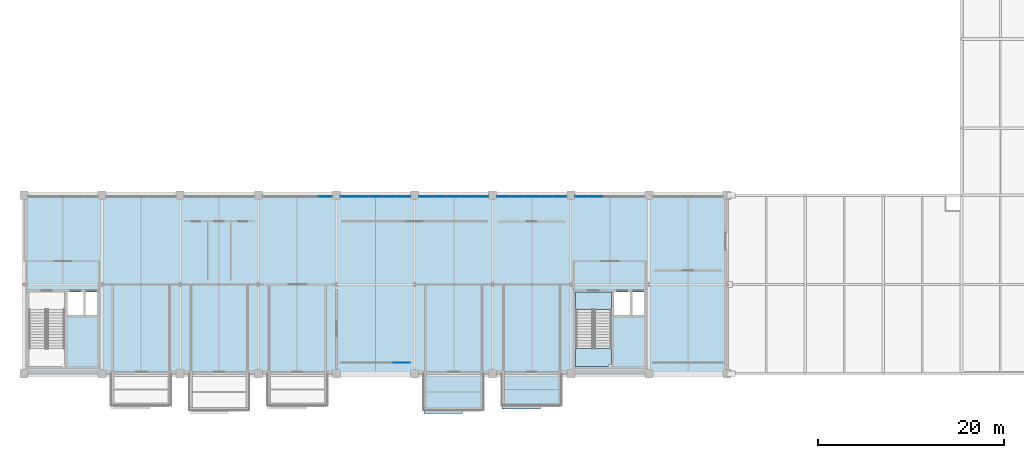
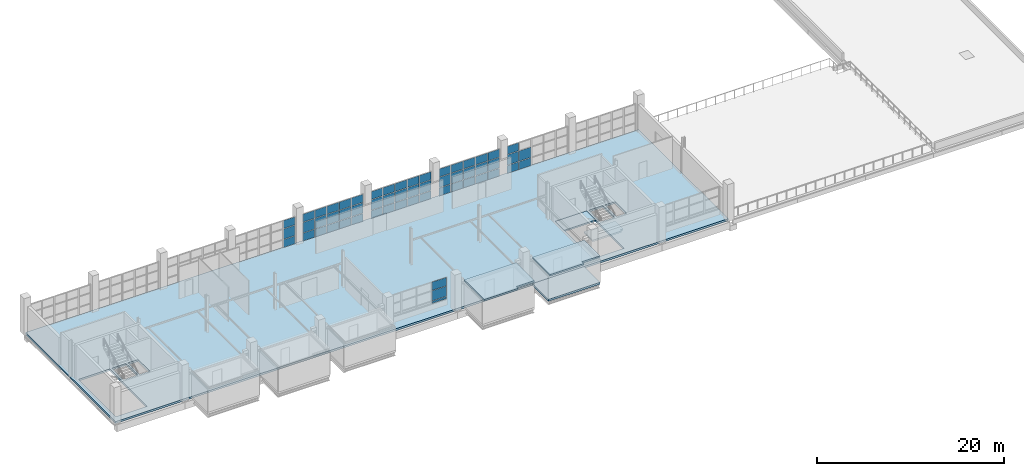
# One storey, part 22 of 29: 56 plates, 6 slabs, 7 elements without a shape of their own.
"""IFC4 building model written with IfcOpenShell, lengths in metres."""

from ifc_helpers import new_model, si_unit, direction, frame, origin, origin_2d, place, context, subcontext, project, spatial, polyline, rectangle, outline, extrude, material, layer, layer_set, type_object, element, aggregate, save


model = new_model("IFC4")

# Units and contexts
model_context = context("Model", 3, precision=1e-05, world=origin(), true_north=direction((0.0, 1.0)))
body_context = subcontext(model_context, "Body", "Model", "MODEL_VIEW")
ifc_project = project(units=[si_unit("LENGTHUNIT", "METRE"), si_unit("AREAUNIT", "SQUARE_METRE"), si_unit("VOLUMEUNIT", "CUBIC_METRE"), si_unit("PLANEANGLEUNIT", "RADIAN"), si_unit("MASSUNIT", "GRAM", prefix="KILO")], contexts=[model_context])

# Site, building, storey
site_placement = place(None, origin())
site = spatial("IfcSite", under=ifc_project, at=site_placement, CompositionType="ELEMENT")
building_placement = place(site_placement, origin())
building = spatial("IfcBuilding", under=site, at=building_placement, Name="Veltarok Museum of Natural Sciences", CompositionType="ELEMENT")
storey_placement = place(building_placement, frame((0.0, 0.0, 26.39990234375)))
storey = spatial("IfcBuildingStorey", under=building, at=storey_placement, Name="L05", CompositionType="ELEMENT", Elevation=26.39990234375)

# Slabs
ifc_material_1 = material(Name="Concrete C35/45", Category="concrete")
ifc_layer_1 = layer(ifc_material_1, 0.199951171875)
ifc_layer_set_1 = layer_set([ifc_layer_1], Name="Concrete C35/45")
slab_type_1 = type_object("IfcSlabType", Name="Cantilevered Cabinet Box Roof Slab 200", PredefinedType="ROOF", material=ifc_layer_set_1)
slab_1_placement = place(storey_placement, frame((0.0, 0.0, 3.25)))
element("IfcSlab", 1, at=slab_1_placement, inside=storey, type_object=slab_type_1, Name="Cabinet Box Roof Slab DB-28", PredefinedType="ROOF", context=body_context, shape_type="SweptSolid", body=[
    extrude(outline(polyline([(74.60009765625, -4.280029296875), (78.760009765625, -4.280029296875), (78.760009765625, -3.89990234375), (81.0, -3.89990234375), (81.0, 0.0), (74.60009765625, 0.0), (74.60009765625, -4.280029296875)])), origin(), (0.0, 0.0, 1.0), 0.2001953125),
])
slab_2_placement = place(storey_placement, frame((0.0, 0.0, 3.25)))
element("IfcSlab", 2, at=slab_2_placement, inside=storey, type_object=slab_type_1, Name="Cabinet Box Roof Slab DB-29", PredefinedType="ROOF", context=body_context, shape_type="SweptSolid", body=[
    extrude(outline(polyline([(83.0, -3.780029296875), (87.159912109375, -3.780029296875), (87.159912109375, -3.39990234375), (89.39990234375, -3.39990234375), (89.39990234375, 0.0), (83.0, 0.0), (83.0, -3.780029296875)])), origin(), (0.0, 0.0, 1.0), 0.2001953125),
])
ifc_layer_2 = layer(ifc_material_1, 0.199951171875)
ifc_layer_set_2 = layer_set([ifc_layer_2], Name="Concrete C35/45")
slab_type_2 = type_object("IfcSlabType", Name="Protected Stair Intermediate Landing Slab 200", PredefinedType="LANDING", material=ifc_layer_set_2)
slab_3_placement = place(storey_placement, frame((0.0, 0.0, -0.199951171875)))
element("IfcSlab", 3, at=slab_3_placement, inside=storey, type_object=slab_type_2, Name="Stairwell Floor Landing ST-02 L05", PredefinedType="LANDING", context=body_context, shape_type="SweptSolid", body=[
    extrude(outline(polyline([(90.909912109375, 6.89990234375), (94.7900390625, 6.89990234375), (94.7900390625, 8.820068359375), (90.909912109375, 8.820068359375), (90.909912109375, 6.89990234375)])), origin(), (0.0, 0.0, 1.0), 0.199951171875),
])

# Stair, slab
ifc_material_2 = material(Name="Precast concrete C40/50", Category="concrete")
stair_type = type_object("IfcStairType", Name="Protected Half-Turn Escape Stair H4800", PredefinedType="HALF_TURN_STAIR", material=ifc_material_2)
stair_placement = place(storey_placement, origin())
stair = element("IfcStair", 4, at=stair_placement, inside=storey, type_object=stair_type, Name="Protected Escape Stair ST-02-L05", PredefinedType="HALF_TURN_STAIR")
slab_4_placement = place(storey_placement, frame((0.0, 0.0, 2.2001953125)))
slab_4 = element("IfcSlab", 5, at=slab_4_placement, type_object=slab_type_2, Name="ST-02-L05 landing 1", PredefinedType="LANDING", context=body_context, shape_type="SweptSolid", body=[
    extrude(outline(polyline([(90.909912109375, 0.780029296875), (94.469970703125, 0.780029296875), (94.469970703125, 1.02001953125), (94.7900390625, 1.02001953125), (94.7900390625, 2.699951171875), (90.909912109375, 2.699951171875), (90.909912109375, 0.780029296875)])), origin(), (0.0, 0.0, 1.0), 0.199951171875),
])
aggregate(stair, [slab_4])

# Slabs
ifc_layer_3 = layer(ifc_material_1, 0.25)
ifc_layer_set_3 = layer_set([ifc_layer_3], Name="Concrete C35/45")
slab_type_3 = type_object("IfcSlabType", Name="Suspended Museum Floor Slab 250", PredefinedType="FLOOR", material=ifc_layer_set_3)
slab_5_placement = place(storey_placement, frame((0.0, 0.0, -0.25)))
element("IfcSlab", 6, at=slab_5_placement, inside=storey, type_object=slab_type_3, Name="Floor Slab L05 V1", PredefinedType="FLOOR", context=body_context, shape_type="SweptSolid", body=[
    extrude(outline(polyline([(31.60009765625, 0.0), (31.60009765625, 19.199951171875), (107.175048828125, 19.199951171875), (107.175048828125, 0.0), (31.60009765625, 0.0)]), holes=[polyline([(32.1298828125, 0.800048828125), (35.969970703125, 0.800048828125), (35.969970703125, 8.800048828125), (32.1298828125, 8.800048828125), (32.1298828125, 0.800048828125)]), polyline([(90.929931640625, 8.800048828125), (90.929931640625, 0.800048828125), (94.77001953125, 0.800048828125), (94.77001953125, 8.800048828125), (90.929931640625, 8.800048828125)]), polyline([(36.27001953125, 8.800048828125), (36.27001953125, 6.300048828125), (37.989990234375, 6.300048828125), (37.989990234375, 8.800048828125), (36.27001953125, 8.800048828125)]), polyline([(38.239990234375, 6.300048828125), (39.469970703125, 6.300048828125), (39.469970703125, 8.800048828125), (38.239990234375, 8.800048828125), (38.239990234375, 6.300048828125)]), polyline([(95.070068359375, 8.800048828125), (95.070068359375, 6.300048828125), (96.7900390625, 6.300048828125), (96.7900390625, 8.800048828125), (95.070068359375, 8.800048828125)]), polyline([(97.0400390625, 8.800048828125), (97.0400390625, 6.300048828125), (98.27001953125, 6.300048828125), (98.27001953125, 8.800048828125), (97.0400390625, 8.800048828125)])]), origin(), (0.0, 0.0, 1.0), 0.25),
])
slab_6_placement = place(storey_placement, frame((0.0, 0.0, -0.25)))
element("IfcSlab", 7, at=slab_6_placement, inside=storey, type_object=slab_type_3, Name="Cabinet Box Floor Slab DB-29", PredefinedType="FLOOR", context=body_context, shape_type="SweptSolid", body=[
    extrude(outline(polyline([(83.0, -3.39990234375), (89.39990234375, -3.39990234375), (89.39990234375, 0.0), (83.0, 0.0), (83.0, -3.39990234375)])), origin(), (0.0, 0.0, 1.0), 0.25),
])

# Curtain wall, plates
ifc_material_3 = material(Name="Low-iron triple insulated glass", Category="glass")
curtain_wall_type_1 = type_object("IfcCurtainWallType", Name="Curtain Wall System CW-CAB-L05-A-755x288 (V1 Recessed L05 755x288cm)", PredefinedType="NOTDEFINED", material=ifc_material_3)
curtain_wall_1_placement = place(storey_placement, origin())
curtain_wall_1 = element("IfcCurtainWall", 8, at=curtain_wall_1_placement, inside=storey, type_object=curtain_wall_type_1, Name="Curtain Wall CW-CAB-L05-A-755x288 CW-0009", PredefinedType="NOTDEFINED")
ifc_layer_4 = layer(ifc_material_3, 0.028076171875)
ifc_layer_set_4 = layer_set([ifc_layer_4], Name="Low-iron triple insulated glass")
plate_type = type_object("IfcPlateType", Name="Triple Low-Iron Glazed Vision Panel 28", PredefinedType="CURTAIN_PANEL", material=ifc_layer_set_4)
plate_1_placement = place(storey_placement, frame((72.21630859375, 1.199951171875, 0.800048828125), z_axis=(0.0, 0.0, 1.0), x_axis=(1.0, 0.0, 0.0)))
plate_1 = element("IfcPlate", 9, at=plate_1_placement, type_object=plate_type, Name="CW-CAB-L05-A-755x288 panel 4.1", PredefinedType="CURTAIN_PANEL", context=body_context, shape_type="SweptSolid", body=[
    extrude(rectangle(XDim=1.797607421875, YDim=0.028076171875, at=origin_2d()), origin(), (0.0, 0.0, 1.0), 0.27001953125),
])
plate_2_placement = place(storey_placement, frame((72.21630859375, 1.199951171875, 1.130126953125), z_axis=(0.0, 0.0, 1.0), x_axis=(1.0, 0.0, 0.0)))
plate_2 = element("IfcPlate", 10, at=plate_2_placement, type_object=plate_type, Name="CW-CAB-L05-A-755x288 panel 4.2", PredefinedType="CURTAIN_PANEL", context=body_context, shape_type="SweptSolid", body=[
    extrude(rectangle(XDim=1.797607421875, YDim=0.028076171875, at=origin_2d()), origin(), (0.0, 0.0, 1.0), 1.2900390625),
])
plate_3_placement = place(storey_placement, frame((72.21630859375, 1.199951171875, 2.480224609375), z_axis=(0.0, 0.0, 1.0), x_axis=(1.0, 0.0, 0.0)))
plate_3 = element("IfcPlate", 11, at=plate_3_placement, type_object=plate_type, Name="CW-CAB-L05-A-755x288 panel 4.3", PredefinedType="CURTAIN_PANEL", context=body_context, shape_type="SweptSolid", body=[
    extrude(rectangle(XDim=1.797607421875, YDim=0.028076171875, at=origin_2d()), origin(), (0.0, 0.0, 1.0), 1.0849609375),
])
aggregate(curtain_wall_1, [plate_1, plate_2, plate_3])

curtain_wall_type_2 = type_object("IfcCurtainWallType", Name="Curtain Wall System CW-V1N-L05-755x362 (V1 North Overlook L05 755x362cm)", PredefinedType="NOTDEFINED", material=ifc_material_3)
curtain_wall_2_placement = place(storey_placement, origin())
curtain_wall_2 = element("IfcCurtainWall", 12, at=curtain_wall_2_placement, inside=storey, type_object=curtain_wall_type_2, Name="Curtain Wall CW-V1N-L05-755x362 CW-0014", PredefinedType="NOTDEFINED")
plate_4_placement = place(storey_placement, frame((64.0048828125, 19.050048828125, 0.06005859375), z_axis=(0.0, 0.0, 1.0), x_axis=(-1.0, 0.0, 0.0)))
plate_4 = element("IfcPlate", 13, at=plate_4_placement, type_object=plate_type, Name="CW-V1N-L05-755x362 panel 1.1", PredefinedType="CURTAIN_PANEL", context=body_context, shape_type="SweptSolid", body=[
    extrude(rectangle(XDim=1.419921875, YDim=0.028076171875, at=origin_2d()), origin(), (0.0, 0.0, 1.0), 1.010009765625),
])
plate_5_placement = place(storey_placement, frame((64.0048828125, 19.050048828125, 1.1298828125), z_axis=(0.0, 0.0, 1.0), x_axis=(-1.0, 0.0, 0.0)))
plate_5 = element("IfcPlate", 14, at=plate_5_placement, type_object=plate_type, Name="CW-V1N-L05-755x362 panel 1.2", PredefinedType="CURTAIN_PANEL", context=body_context, shape_type="SweptSolid", body=[
    extrude(rectangle(XDim=1.419921875, YDim=0.028076171875, at=origin_2d()), origin(), (0.0, 0.0, 1.0), 1.340087890625),
])
plate_6_placement = place(storey_placement, frame((64.0048828125, 19.050048828125, 2.5302734375), z_axis=(0.0, 0.0, 1.0), x_axis=(-1.0, 0.0, 0.0)))
plate_6 = element("IfcPlate", 15, at=plate_6_placement, type_object=plate_type, Name="CW-V1N-L05-755x362 panel 1.3", PredefinedType="CURTAIN_PANEL", context=body_context, shape_type="SweptSolid", body=[
    extrude(rectangle(XDim=1.419921875, YDim=0.028076171875, at=origin_2d()), origin(), (0.0, 0.0, 1.0), 1.030029296875),
])
aggregate(curtain_wall_2, [plate_4, plate_5, plate_6])

curtain_wall_3_placement = place(storey_placement, origin())
curtain_wall_3 = element("IfcCurtainWall", 16, at=curtain_wall_3_placement, inside=storey, type_object=curtain_wall_type_2, Name="Curtain Wall CW-V1N-L05-755x362 CW-0015", PredefinedType="NOTDEFINED")
plate_7_placement = place(storey_placement, frame((72.405029296875, 19.050048828125, 0.06005859375), z_axis=(0.0, 0.0, 1.0), x_axis=(-1.0, 0.0, 0.0)))
plate_7 = element("IfcPlate", 17, at=plate_7_placement, type_object=plate_type, Name="CW-V1N-L05-755x362 panel 1.1", PredefinedType="CURTAIN_PANEL", context=body_context, shape_type="SweptSolid", body=[
    extrude(rectangle(XDim=1.419921875, YDim=0.028076171875, at=origin_2d()), origin(), (0.0, 0.0, 1.0), 1.010009765625),
])
plate_8_placement = place(storey_placement, frame((72.405029296875, 19.050048828125, 1.1298828125), z_axis=(0.0, 0.0, 1.0), x_axis=(-1.0, 0.0, 0.0)))
plate_8 = element("IfcPlate", 18, at=plate_8_placement, type_object=plate_type, Name="CW-V1N-L05-755x362 panel 1.2", PredefinedType="CURTAIN_PANEL", context=body_context, shape_type="SweptSolid", body=[
    extrude(rectangle(XDim=1.419921875, YDim=0.028076171875, at=origin_2d()), origin(), (0.0, 0.0, 1.0), 1.340087890625),
])
plate_9_placement = place(storey_placement, frame((72.405029296875, 19.050048828125, 2.5302734375), z_axis=(0.0, 0.0, 1.0), x_axis=(-1.0, 0.0, 0.0)))
plate_9 = element("IfcPlate", 19, at=plate_9_placement, type_object=plate_type, Name="CW-V1N-L05-755x362 panel 1.3", PredefinedType="CURTAIN_PANEL", context=body_context, shape_type="SweptSolid", body=[
    extrude(rectangle(XDim=1.419921875, YDim=0.028076171875, at=origin_2d()), origin(), (0.0, 0.0, 1.0), 1.030029296875),
])
plate_10_placement = place(storey_placement, frame((70.909912109375, 19.050048828125, 0.06005859375), z_axis=(0.0, 0.0, 1.0), x_axis=(-1.0, 0.0, 0.0)))
plate_10 = element("IfcPlate", 20, at=plate_10_placement, type_object=plate_type, Name="CW-V1N-L05-755x362 panel 2.1", PredefinedType="CURTAIN_PANEL", context=body_context, shape_type="SweptSolid", body=[
    extrude(rectangle(XDim=1.449951171875, YDim=0.028076171875, at=origin_2d()), origin(), (0.0, 0.0, 1.0), 1.010009765625),
])
plate_11_placement = place(storey_placement, frame((70.909912109375, 19.050048828125, 1.1298828125), z_axis=(0.0, 0.0, 1.0), x_axis=(-1.0, 0.0, 0.0)))
plate_11 = element("IfcPlate", 21, at=plate_11_placement, type_object=plate_type, Name="CW-V1N-L05-755x362 panel 2.2", PredefinedType="CURTAIN_PANEL", context=body_context, shape_type="SweptSolid", body=[
    extrude(rectangle(XDim=1.449951171875, YDim=0.028076171875, at=origin_2d()), origin(), (0.0, 0.0, 1.0), 1.340087890625),
])
plate_12_placement = place(storey_placement, frame((70.909912109375, 19.050048828125, 2.5302734375), z_axis=(0.0, 0.0, 1.0), x_axis=(-1.0, 0.0, 0.0)))
plate_12 = element("IfcPlate", 22, at=plate_12_placement, type_object=plate_type, Name="CW-V1N-L05-755x362 panel 2.3", PredefinedType="CURTAIN_PANEL", context=body_context, shape_type="SweptSolid", body=[
    extrude(rectangle(XDim=1.449951171875, YDim=0.028076171875, at=origin_2d()), origin(), (0.0, 0.0, 1.0), 1.030029296875),
])
plate_13_placement = place(storey_placement, frame((69.39990234375, 19.050048828125, 0.06005859375), z_axis=(0.0, 0.0, 1.0), x_axis=(-1.0, 0.0, 0.0)))
plate_13 = element("IfcPlate", 23, at=plate_13_placement, type_object=plate_type, Name="CW-V1N-L05-755x362 panel 3.1", PredefinedType="CURTAIN_PANEL", context=body_context, shape_type="SweptSolid", body=[
    extrude(rectangle(XDim=1.449951171875, YDim=0.028076171875, at=origin_2d()), origin(), (0.0, 0.0, 1.0), 1.010009765625),
])
plate_14_placement = place(storey_placement, frame((69.39990234375, 19.050048828125, 1.1298828125), z_axis=(0.0, 0.0, 1.0), x_axis=(-1.0, 0.0, 0.0)))
plate_14 = element("IfcPlate", 24, at=plate_14_placement, type_object=plate_type, Name="CW-V1N-L05-755x362 panel 3.2", PredefinedType="CURTAIN_PANEL", context=body_context, shape_type="SweptSolid", body=[
    extrude(rectangle(XDim=1.449951171875, YDim=0.028076171875, at=origin_2d()), origin(), (0.0, 0.0, 1.0), 1.340087890625),
])
plate_15_placement = place(storey_placement, frame((69.39990234375, 19.050048828125, 2.5302734375), z_axis=(0.0, 0.0, 1.0), x_axis=(-1.0, 0.0, 0.0)))
plate_15 = element("IfcPlate", 25, at=plate_15_placement, type_object=plate_type, Name="CW-V1N-L05-755x362 panel 3.3", PredefinedType="CURTAIN_PANEL", context=body_context, shape_type="SweptSolid", body=[
    extrude(rectangle(XDim=1.449951171875, YDim=0.028076171875, at=origin_2d()), origin(), (0.0, 0.0, 1.0), 1.030029296875),
])
plate_16_placement = place(storey_placement, frame((67.889892578125, 19.050048828125, 0.06005859375), z_axis=(0.0, 0.0, 1.0), x_axis=(-1.0, 0.0, 0.0)))
plate_16 = element("IfcPlate", 26, at=plate_16_placement, type_object=plate_type, Name="CW-V1N-L05-755x362 panel 4.1", PredefinedType="CURTAIN_PANEL", context=body_context, shape_type="SweptSolid", body=[
    extrude(rectangle(XDim=1.449951171875, YDim=0.028076171875, at=origin_2d()), origin(), (0.0, 0.0, 1.0), 1.010009765625),
])
plate_17_placement = place(storey_placement, frame((67.889892578125, 19.050048828125, 1.1298828125), z_axis=(0.0, 0.0, 1.0), x_axis=(-1.0, 0.0, 0.0)))
plate_17 = element("IfcPlate", 27, at=plate_17_placement, type_object=plate_type, Name="CW-V1N-L05-755x362 panel 4.2", PredefinedType="CURTAIN_PANEL", context=body_context, shape_type="SweptSolid", body=[
    extrude(rectangle(XDim=1.449951171875, YDim=0.028076171875, at=origin_2d()), origin(), (0.0, 0.0, 1.0), 1.340087890625),
])
plate_18_placement = place(storey_placement, frame((67.889892578125, 19.050048828125, 2.5302734375), z_axis=(0.0, 0.0, 1.0), x_axis=(-1.0, 0.0, 0.0)))
plate_18 = element("IfcPlate", 28, at=plate_18_placement, type_object=plate_type, Name="CW-V1N-L05-755x362 panel 4.3", PredefinedType="CURTAIN_PANEL", context=body_context, shape_type="SweptSolid", body=[
    extrude(rectangle(XDim=1.449951171875, YDim=0.028076171875, at=origin_2d()), origin(), (0.0, 0.0, 1.0), 1.030029296875),
])
plate_19_placement = place(storey_placement, frame((66.39501953125, 19.050048828125, 0.06005859375), z_axis=(0.0, 0.0, 1.0), x_axis=(-1.0, 0.0, 0.0)))
plate_19 = element("IfcPlate", 29, at=plate_19_placement, type_object=plate_type, Name="CW-V1N-L05-755x362 panel 5.1", PredefinedType="CURTAIN_PANEL", context=body_context, shape_type="SweptSolid", body=[
    extrude(rectangle(XDim=1.419921875, YDim=0.028076171875, at=origin_2d()), origin(), (0.0, 0.0, 1.0), 1.010009765625),
])
plate_20_placement = place(storey_placement, frame((66.39501953125, 19.050048828125, 1.1298828125), z_axis=(0.0, 0.0, 1.0), x_axis=(-1.0, 0.0, 0.0)))
plate_20 = element("IfcPlate", 30, at=plate_20_placement, type_object=plate_type, Name="CW-V1N-L05-755x362 panel 5.2", PredefinedType="CURTAIN_PANEL", context=body_context, shape_type="SweptSolid", body=[
    extrude(rectangle(XDim=1.419921875, YDim=0.028076171875, at=origin_2d()), origin(), (0.0, 0.0, 1.0), 1.340087890625),
])
plate_21_placement = place(storey_placement, frame((66.39501953125, 19.050048828125, 2.5302734375), z_axis=(0.0, 0.0, 1.0), x_axis=(-1.0, 0.0, 0.0)))
plate_21 = element("IfcPlate", 31, at=plate_21_placement, type_object=plate_type, Name="CW-V1N-L05-755x362 panel 5.3", PredefinedType="CURTAIN_PANEL", context=body_context, shape_type="SweptSolid", body=[
    extrude(rectangle(XDim=1.419921875, YDim=0.028076171875, at=origin_2d()), origin(), (0.0, 0.0, 1.0), 1.030029296875),
])
aggregate(curtain_wall_3, [plate_7, plate_8, plate_9, plate_10, plate_11, plate_12, plate_13, plate_14, plate_15, plate_16, plate_17, plate_18, plate_19, plate_20, plate_21])

curtain_wall_4_placement = place(storey_placement, origin())
curtain_wall_4 = element("IfcCurtainWall", 32, at=curtain_wall_4_placement, inside=storey, type_object=curtain_wall_type_2, Name="Curtain Wall CW-V1N-L05-755x362 CW-0016", PredefinedType="NOTDEFINED")
plate_22_placement = place(storey_placement, frame((80.804931640625, 19.050048828125, 0.06005859375), z_axis=(0.0, 0.0, 1.0), x_axis=(-1.0, 0.0, 0.0)))
plate_22 = element("IfcPlate", 33, at=plate_22_placement, type_object=plate_type, Name="CW-V1N-L05-755x362 panel 1.1", PredefinedType="CURTAIN_PANEL", context=body_context, shape_type="SweptSolid", body=[
    extrude(rectangle(XDim=1.419921875, YDim=0.028076171875, at=origin_2d()), origin(), (0.0, 0.0, 1.0), 1.010009765625),
])
plate_23_placement = place(storey_placement, frame((80.804931640625, 19.050048828125, 1.1298828125), z_axis=(0.0, 0.0, 1.0), x_axis=(-1.0, 0.0, 0.0)))
plate_23 = element("IfcPlate", 34, at=plate_23_placement, type_object=plate_type, Name="CW-V1N-L05-755x362 panel 1.2", PredefinedType="CURTAIN_PANEL", context=body_context, shape_type="SweptSolid", body=[
    extrude(rectangle(XDim=1.419921875, YDim=0.028076171875, at=origin_2d()), origin(), (0.0, 0.0, 1.0), 1.340087890625),
])
plate_24_placement = place(storey_placement, frame((80.804931640625, 19.050048828125, 2.5302734375), z_axis=(0.0, 0.0, 1.0), x_axis=(-1.0, 0.0, 0.0)))
plate_24 = element("IfcPlate", 35, at=plate_24_placement, type_object=plate_type, Name="CW-V1N-L05-755x362 panel 1.3", PredefinedType="CURTAIN_PANEL", context=body_context, shape_type="SweptSolid", body=[
    extrude(rectangle(XDim=1.419921875, YDim=0.028076171875, at=origin_2d()), origin(), (0.0, 0.0, 1.0), 1.030029296875),
])
plate_25_placement = place(storey_placement, frame((79.31005859375, 19.050048828125, 0.06005859375), z_axis=(0.0, 0.0, 1.0), x_axis=(-1.0, 0.0, 0.0)))
plate_25 = element("IfcPlate", 36, at=plate_25_placement, type_object=plate_type, Name="CW-V1N-L05-755x362 panel 2.1", PredefinedType="CURTAIN_PANEL", context=body_context, shape_type="SweptSolid", body=[
    extrude(rectangle(XDim=1.449951171875, YDim=0.028076171875, at=origin_2d()), origin(), (0.0, 0.0, 1.0), 1.010009765625),
])
plate_26_placement = place(storey_placement, frame((79.31005859375, 19.050048828125, 1.1298828125), z_axis=(0.0, 0.0, 1.0), x_axis=(-1.0, 0.0, 0.0)))
plate_26 = element("IfcPlate", 37, at=plate_26_placement, type_object=plate_type, Name="CW-V1N-L05-755x362 panel 2.2", PredefinedType="CURTAIN_PANEL", context=body_context, shape_type="SweptSolid", body=[
    extrude(rectangle(XDim=1.449951171875, YDim=0.028076171875, at=origin_2d()), origin(), (0.0, 0.0, 1.0), 1.340087890625),
])
plate_27_placement = place(storey_placement, frame((79.31005859375, 19.050048828125, 2.5302734375), z_axis=(0.0, 0.0, 1.0), x_axis=(-1.0, 0.0, 0.0)))
plate_27 = element("IfcPlate", 38, at=plate_27_placement, type_object=plate_type, Name="CW-V1N-L05-755x362 panel 2.3", PredefinedType="CURTAIN_PANEL", context=body_context, shape_type="SweptSolid", body=[
    extrude(rectangle(XDim=1.449951171875, YDim=0.028076171875, at=origin_2d()), origin(), (0.0, 0.0, 1.0), 1.030029296875),
])
plate_28_placement = place(storey_placement, frame((77.800048828125, 19.050048828125, 0.06005859375), z_axis=(0.0, 0.0, 1.0), x_axis=(-1.0, 0.0, 0.0)))
plate_28 = element("IfcPlate", 39, at=plate_28_placement, type_object=plate_type, Name="CW-V1N-L05-755x362 panel 3.1", PredefinedType="CURTAIN_PANEL", context=body_context, shape_type="SweptSolid", body=[
    extrude(rectangle(XDim=1.449951171875, YDim=0.028076171875, at=origin_2d()), origin(), (0.0, 0.0, 1.0), 1.010009765625),
])
plate_29_placement = place(storey_placement, frame((77.800048828125, 19.050048828125, 1.1298828125), z_axis=(0.0, 0.0, 1.0), x_axis=(-1.0, 0.0, 0.0)))
plate_29 = element("IfcPlate", 40, at=plate_29_placement, type_object=plate_type, Name="CW-V1N-L05-755x362 panel 3.2", PredefinedType="CURTAIN_PANEL", context=body_context, shape_type="SweptSolid", body=[
    extrude(rectangle(XDim=1.449951171875, YDim=0.028076171875, at=origin_2d()), origin(), (0.0, 0.0, 1.0), 1.340087890625),
])
plate_30_placement = place(storey_placement, frame((77.800048828125, 19.050048828125, 2.5302734375), z_axis=(0.0, 0.0, 1.0), x_axis=(-1.0, 0.0, 0.0)))
plate_30 = element("IfcPlate", 41, at=plate_30_placement, type_object=plate_type, Name="CW-V1N-L05-755x362 panel 3.3", PredefinedType="CURTAIN_PANEL", context=body_context, shape_type="SweptSolid", body=[
    extrude(rectangle(XDim=1.449951171875, YDim=0.028076171875, at=origin_2d()), origin(), (0.0, 0.0, 1.0), 1.030029296875),
])
plate_31_placement = place(storey_placement, frame((76.2900390625, 19.050048828125, 0.06005859375), z_axis=(0.0, 0.0, 1.0), x_axis=(-1.0, 0.0, 0.0)))
plate_31 = element("IfcPlate", 42, at=plate_31_placement, type_object=plate_type, Name="CW-V1N-L05-755x362 panel 4.1", PredefinedType="CURTAIN_PANEL", context=body_context, shape_type="SweptSolid", body=[
    extrude(rectangle(XDim=1.449951171875, YDim=0.028076171875, at=origin_2d()), origin(), (0.0, 0.0, 1.0), 1.010009765625),
])
plate_32_placement = place(storey_placement, frame((76.2900390625, 19.050048828125, 1.1298828125), z_axis=(0.0, 0.0, 1.0), x_axis=(-1.0, 0.0, 0.0)))
plate_32 = element("IfcPlate", 43, at=plate_32_placement, type_object=plate_type, Name="CW-V1N-L05-755x362 panel 4.2", PredefinedType="CURTAIN_PANEL", context=body_context, shape_type="SweptSolid", body=[
    extrude(rectangle(XDim=1.449951171875, YDim=0.028076171875, at=origin_2d()), origin(), (0.0, 0.0, 1.0), 1.340087890625),
])
plate_33_placement = place(storey_placement, frame((76.2900390625, 19.050048828125, 2.5302734375), z_axis=(0.0, 0.0, 1.0), x_axis=(-1.0, 0.0, 0.0)))
plate_33 = element("IfcPlate", 44, at=plate_33_placement, type_object=plate_type, Name="CW-V1N-L05-755x362 panel 4.3", PredefinedType="CURTAIN_PANEL", context=body_context, shape_type="SweptSolid", body=[
    extrude(rectangle(XDim=1.449951171875, YDim=0.028076171875, at=origin_2d()), origin(), (0.0, 0.0, 1.0), 1.030029296875),
])
plate_34_placement = place(storey_placement, frame((74.794921875, 19.050048828125, 0.06005859375), z_axis=(0.0, 0.0, 1.0), x_axis=(-1.0, 0.0, 0.0)))
plate_34 = element("IfcPlate", 45, at=plate_34_placement, type_object=plate_type, Name="CW-V1N-L05-755x362 panel 5.1", PredefinedType="CURTAIN_PANEL", context=body_context, shape_type="SweptSolid", body=[
    extrude(rectangle(XDim=1.419921875, YDim=0.028076171875, at=origin_2d()), origin(), (0.0, 0.0, 1.0), 1.010009765625),
])
plate_35_placement = place(storey_placement, frame((74.794921875, 19.050048828125, 1.1298828125), z_axis=(0.0, 0.0, 1.0), x_axis=(-1.0, 0.0, 0.0)))
plate_35 = element("IfcPlate", 46, at=plate_35_placement, type_object=plate_type, Name="CW-V1N-L05-755x362 panel 5.2", PredefinedType="CURTAIN_PANEL", context=body_context, shape_type="SweptSolid", body=[
    extrude(rectangle(XDim=1.419921875, YDim=0.028076171875, at=origin_2d()), origin(), (0.0, 0.0, 1.0), 1.340087890625),
])
plate_36_placement = place(storey_placement, frame((74.794921875, 19.050048828125, 2.5302734375), z_axis=(0.0, 0.0, 1.0), x_axis=(-1.0, 0.0, 0.0)))
plate_36 = element("IfcPlate", 47, at=plate_36_placement, type_object=plate_type, Name="CW-V1N-L05-755x362 panel 5.3", PredefinedType="CURTAIN_PANEL", context=body_context, shape_type="SweptSolid", body=[
    extrude(rectangle(XDim=1.419921875, YDim=0.028076171875, at=origin_2d()), origin(), (0.0, 0.0, 1.0), 1.030029296875),
])
aggregate(curtain_wall_4, [plate_22, plate_23, plate_24, plate_25, plate_26, plate_27, plate_28, plate_29, plate_30, plate_31, plate_32, plate_33, plate_34, plate_35, plate_36])

curtain_wall_5_placement = place(storey_placement, origin())
curtain_wall_5 = element("IfcCurtainWall", 48, at=curtain_wall_5_placement, inside=storey, type_object=curtain_wall_type_2, Name="Curtain Wall CW-V1N-L05-755x362 CW-0017", PredefinedType="NOTDEFINED")
plate_37_placement = place(storey_placement, frame((89.205078125, 19.050048828125, 0.06005859375), z_axis=(0.0, 0.0, 1.0), x_axis=(-1.0, 0.0, 0.0)))
plate_37 = element("IfcPlate", 49, at=plate_37_placement, type_object=plate_type, Name="CW-V1N-L05-755x362 panel 1.1", PredefinedType="CURTAIN_PANEL", context=body_context, shape_type="SweptSolid", body=[
    extrude(rectangle(XDim=1.419921875, YDim=0.028076171875, at=origin_2d()), origin(), (0.0, 0.0, 1.0), 1.010009765625),
])
plate_38_placement = place(storey_placement, frame((89.205078125, 19.050048828125, 1.1298828125), z_axis=(0.0, 0.0, 1.0), x_axis=(-1.0, 0.0, 0.0)))
plate_38 = element("IfcPlate", 50, at=plate_38_placement, type_object=plate_type, Name="CW-V1N-L05-755x362 panel 1.2", PredefinedType="CURTAIN_PANEL", context=body_context, shape_type="SweptSolid", body=[
    extrude(rectangle(XDim=1.419921875, YDim=0.028076171875, at=origin_2d()), origin(), (0.0, 0.0, 1.0), 1.340087890625),
])
plate_39_placement = place(storey_placement, frame((89.205078125, 19.050048828125, 2.5302734375), z_axis=(0.0, 0.0, 1.0), x_axis=(-1.0, 0.0, 0.0)))
plate_39 = element("IfcPlate", 51, at=plate_39_placement, type_object=plate_type, Name="CW-V1N-L05-755x362 panel 1.3", PredefinedType="CURTAIN_PANEL", context=body_context, shape_type="SweptSolid", body=[
    extrude(rectangle(XDim=1.419921875, YDim=0.028076171875, at=origin_2d()), origin(), (0.0, 0.0, 1.0), 1.030029296875),
])
plate_40_placement = place(storey_placement, frame((87.7099609375, 19.050048828125, 0.06005859375), z_axis=(0.0, 0.0, 1.0), x_axis=(-1.0, 0.0, 0.0)))
plate_40 = element("IfcPlate", 52, at=plate_40_placement, type_object=plate_type, Name="CW-V1N-L05-755x362 panel 2.1", PredefinedType="CURTAIN_PANEL", context=body_context, shape_type="SweptSolid", body=[
    extrude(rectangle(XDim=1.449951171875, YDim=0.028076171875, at=origin_2d()), origin(), (0.0, 0.0, 1.0), 1.010009765625),
])
plate_41_placement = place(storey_placement, frame((87.7099609375, 19.050048828125, 1.1298828125), z_axis=(0.0, 0.0, 1.0), x_axis=(-1.0, 0.0, 0.0)))
plate_41 = element("IfcPlate", 53, at=plate_41_placement, type_object=plate_type, Name="CW-V1N-L05-755x362 panel 2.2", PredefinedType="CURTAIN_PANEL", context=body_context, shape_type="SweptSolid", body=[
    extrude(rectangle(XDim=1.449951171875, YDim=0.028076171875, at=origin_2d()), origin(), (0.0, 0.0, 1.0), 1.340087890625),
])
plate_42_placement = place(storey_placement, frame((87.7099609375, 19.050048828125, 2.5302734375), z_axis=(0.0, 0.0, 1.0), x_axis=(-1.0, 0.0, 0.0)))
plate_42 = element("IfcPlate", 54, at=plate_42_placement, type_object=plate_type, Name="CW-V1N-L05-755x362 panel 2.3", PredefinedType="CURTAIN_PANEL", context=body_context, shape_type="SweptSolid", body=[
    extrude(rectangle(XDim=1.449951171875, YDim=0.028076171875, at=origin_2d()), origin(), (0.0, 0.0, 1.0), 1.030029296875),
])
plate_43_placement = place(storey_placement, frame((86.199951171875, 19.050048828125, 0.06005859375), z_axis=(0.0, 0.0, 1.0), x_axis=(-1.0, 0.0, 0.0)))
plate_43 = element("IfcPlate", 55, at=plate_43_placement, type_object=plate_type, Name="CW-V1N-L05-755x362 panel 3.1", PredefinedType="CURTAIN_PANEL", context=body_context, shape_type="SweptSolid", body=[
    extrude(rectangle(XDim=1.449951171875, YDim=0.028076171875, at=origin_2d()), origin(), (0.0, 0.0, 1.0), 1.010009765625),
])
plate_44_placement = place(storey_placement, frame((86.199951171875, 19.050048828125, 1.1298828125), z_axis=(0.0, 0.0, 1.0), x_axis=(-1.0, 0.0, 0.0)))
plate_44 = element("IfcPlate", 56, at=plate_44_placement, type_object=plate_type, Name="CW-V1N-L05-755x362 panel 3.2", PredefinedType="CURTAIN_PANEL", context=body_context, shape_type="SweptSolid", body=[
    extrude(rectangle(XDim=1.449951171875, YDim=0.028076171875, at=origin_2d()), origin(), (0.0, 0.0, 1.0), 1.340087890625),
])
plate_45_placement = place(storey_placement, frame((86.199951171875, 19.050048828125, 2.5302734375), z_axis=(0.0, 0.0, 1.0), x_axis=(-1.0, 0.0, 0.0)))
plate_45 = element("IfcPlate", 57, at=plate_45_placement, type_object=plate_type, Name="CW-V1N-L05-755x362 panel 3.3", PredefinedType="CURTAIN_PANEL", context=body_context, shape_type="SweptSolid", body=[
    extrude(rectangle(XDim=1.449951171875, YDim=0.028076171875, at=origin_2d()), origin(), (0.0, 0.0, 1.0), 1.030029296875),
])
plate_46_placement = place(storey_placement, frame((84.68994140625, 19.050048828125, 0.06005859375), z_axis=(0.0, 0.0, 1.0), x_axis=(-1.0, 0.0, 0.0)))
plate_46 = element("IfcPlate", 58, at=plate_46_placement, type_object=plate_type, Name="CW-V1N-L05-755x362 panel 4.1", PredefinedType="CURTAIN_PANEL", context=body_context, shape_type="SweptSolid", body=[
    extrude(rectangle(XDim=1.449951171875, YDim=0.028076171875, at=origin_2d()), origin(), (0.0, 0.0, 1.0), 1.010009765625),
])
plate_47_placement = place(storey_placement, frame((84.68994140625, 19.050048828125, 1.1298828125), z_axis=(0.0, 0.0, 1.0), x_axis=(-1.0, 0.0, 0.0)))
plate_47 = element("IfcPlate", 59, at=plate_47_placement, type_object=plate_type, Name="CW-V1N-L05-755x362 panel 4.2", PredefinedType="CURTAIN_PANEL", context=body_context, shape_type="SweptSolid", body=[
    extrude(rectangle(XDim=1.449951171875, YDim=0.028076171875, at=origin_2d()), origin(), (0.0, 0.0, 1.0), 1.340087890625),
])
plate_48_placement = place(storey_placement, frame((84.68994140625, 19.050048828125, 2.5302734375), z_axis=(0.0, 0.0, 1.0), x_axis=(-1.0, 0.0, 0.0)))
plate_48 = element("IfcPlate", 60, at=plate_48_placement, type_object=plate_type, Name="CW-V1N-L05-755x362 panel 4.3", PredefinedType="CURTAIN_PANEL", context=body_context, shape_type="SweptSolid", body=[
    extrude(rectangle(XDim=1.449951171875, YDim=0.028076171875, at=origin_2d()), origin(), (0.0, 0.0, 1.0), 1.030029296875),
])
plate_49_placement = place(storey_placement, frame((83.195068359375, 19.050048828125, 0.06005859375), z_axis=(0.0, 0.0, 1.0), x_axis=(-1.0, 0.0, 0.0)))
plate_49 = element("IfcPlate", 61, at=plate_49_placement, type_object=plate_type, Name="CW-V1N-L05-755x362 panel 5.1", PredefinedType="CURTAIN_PANEL", context=body_context, shape_type="SweptSolid", body=[
    extrude(rectangle(XDim=1.419921875, YDim=0.028076171875, at=origin_2d()), origin(), (0.0, 0.0, 1.0), 1.010009765625),
])
plate_50_placement = place(storey_placement, frame((83.195068359375, 19.050048828125, 1.1298828125), z_axis=(0.0, 0.0, 1.0), x_axis=(-1.0, 0.0, 0.0)))
plate_50 = element("IfcPlate", 62, at=plate_50_placement, type_object=plate_type, Name="CW-V1N-L05-755x362 panel 5.2", PredefinedType="CURTAIN_PANEL", context=body_context, shape_type="SweptSolid", body=[
    extrude(rectangle(XDim=1.419921875, YDim=0.028076171875, at=origin_2d()), origin(), (0.0, 0.0, 1.0), 1.340087890625),
])
plate_51_placement = place(storey_placement, frame((83.195068359375, 19.050048828125, 2.5302734375), z_axis=(0.0, 0.0, 1.0), x_axis=(-1.0, 0.0, 0.0)))
plate_51 = element("IfcPlate", 63, at=plate_51_placement, type_object=plate_type, Name="CW-V1N-L05-755x362 panel 5.3", PredefinedType="CURTAIN_PANEL", context=body_context, shape_type="SweptSolid", body=[
    extrude(rectangle(XDim=1.419921875, YDim=0.028076171875, at=origin_2d()), origin(), (0.0, 0.0, 1.0), 1.030029296875),
])
aggregate(curtain_wall_5, [plate_37, plate_38, plate_39, plate_40, plate_41, plate_42, plate_43, plate_44, plate_45, plate_46, plate_47, plate_48, plate_49, plate_50, plate_51])

curtain_wall_6_placement = place(storey_placement, origin())
curtain_wall_6 = element("IfcCurtainWall", 64, at=curtain_wall_6_placement, inside=storey, type_object=curtain_wall_type_2, Name="Curtain Wall CW-V1N-L05-755x362 CW-0018", PredefinedType="NOTDEFINED")
plate_52_placement = place(storey_placement, frame((93.090087890625, 19.050048828125, 0.06005859375), z_axis=(0.0, 0.0, 1.0), x_axis=(-1.0, 0.0, 0.0)))
plate_52 = element("IfcPlate", 65, at=plate_52_placement, type_object=plate_type, Name="CW-V1N-L05-755x362 panel 4.1", PredefinedType="CURTAIN_PANEL", context=body_context, shape_type="SweptSolid", body=[
    extrude(rectangle(XDim=1.449951171875, YDim=0.028076171875, at=origin_2d()), origin(), (0.0, 0.0, 1.0), 1.010009765625),
])
plate_53_placement = place(storey_placement, frame((93.090087890625, 19.050048828125, 1.1298828125), z_axis=(0.0, 0.0, 1.0), x_axis=(-1.0, 0.0, 0.0)))
plate_53 = element("IfcPlate", 66, at=plate_53_placement, type_object=plate_type, Name="CW-V1N-L05-755x362 panel 4.2", PredefinedType="CURTAIN_PANEL", context=body_context, shape_type="SweptSolid", body=[
    extrude(rectangle(XDim=1.449951171875, YDim=0.028076171875, at=origin_2d()), origin(), (0.0, 0.0, 1.0), 1.340087890625),
])
plate_54_placement = place(storey_placement, frame((91.594970703125, 19.050048828125, 0.06005859375), z_axis=(0.0, 0.0, 1.0), x_axis=(-1.0, 0.0, 0.0)))
plate_54 = element("IfcPlate", 67, at=plate_54_placement, type_object=plate_type, Name="CW-V1N-L05-755x362 panel 5.1", PredefinedType="CURTAIN_PANEL", context=body_context, shape_type="SweptSolid", body=[
    extrude(rectangle(XDim=1.419921875, YDim=0.028076171875, at=origin_2d()), origin(), (0.0, 0.0, 1.0), 1.010009765625),
])
plate_55_placement = place(storey_placement, frame((91.594970703125, 19.050048828125, 1.1298828125), z_axis=(0.0, 0.0, 1.0), x_axis=(-1.0, 0.0, 0.0)))
plate_55 = element("IfcPlate", 68, at=plate_55_placement, type_object=plate_type, Name="CW-V1N-L05-755x362 panel 5.2", PredefinedType="CURTAIN_PANEL", context=body_context, shape_type="SweptSolid", body=[
    extrude(rectangle(XDim=1.419921875, YDim=0.028076171875, at=origin_2d()), origin(), (0.0, 0.0, 1.0), 1.340087890625),
])
plate_56_placement = place(storey_placement, frame((91.594970703125, 19.050048828125, 2.5302734375), z_axis=(0.0, 0.0, 1.0), x_axis=(-1.0, 0.0, 0.0)))
plate_56 = element("IfcPlate", 69, at=plate_56_placement, type_object=plate_type, Name="CW-V1N-L05-755x362 panel 5.3", PredefinedType="CURTAIN_PANEL", context=body_context, shape_type="SweptSolid", body=[
    extrude(rectangle(XDim=1.419921875, YDim=0.028076171875, at=origin_2d()), origin(), (0.0, 0.0, 1.0), 1.030029296875),
])
aggregate(curtain_wall_6, [plate_52, plate_53, plate_54, plate_55, plate_56])

save(model, "model.ifc")
